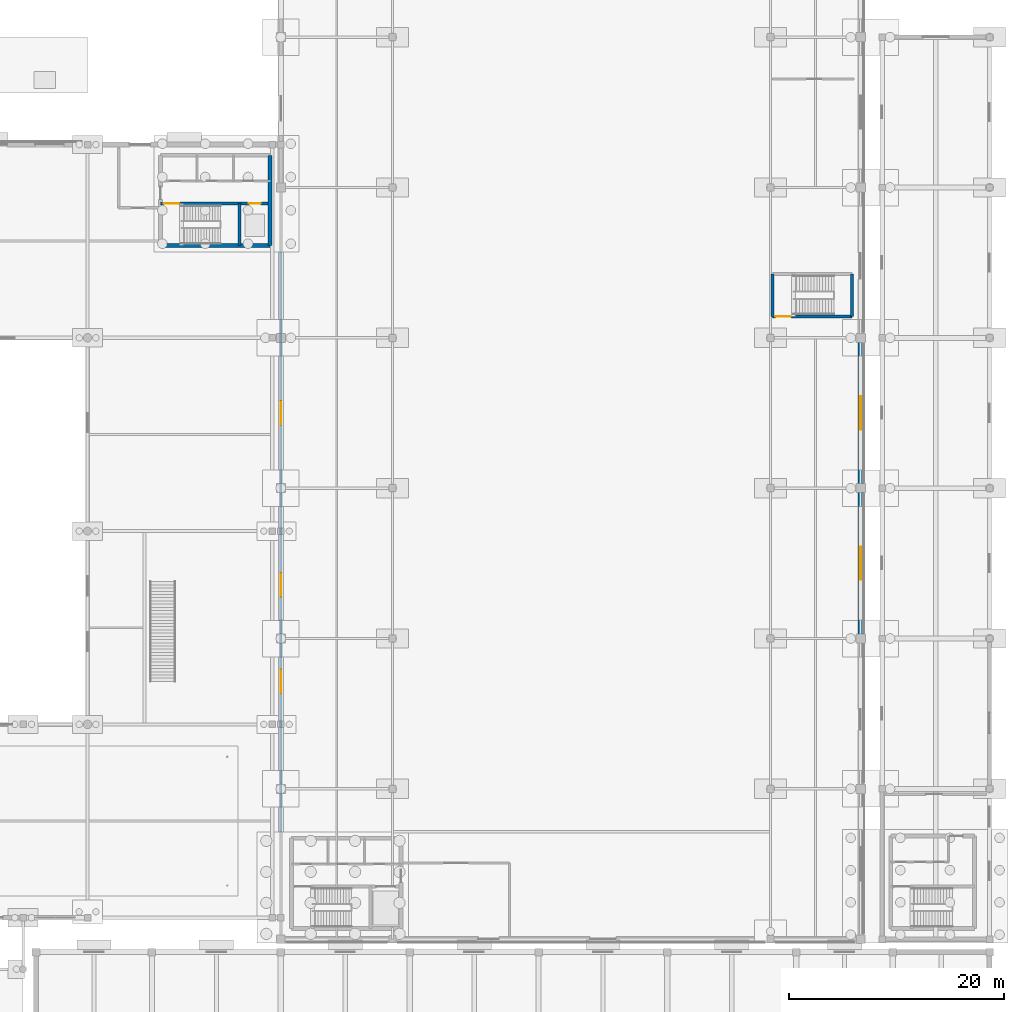
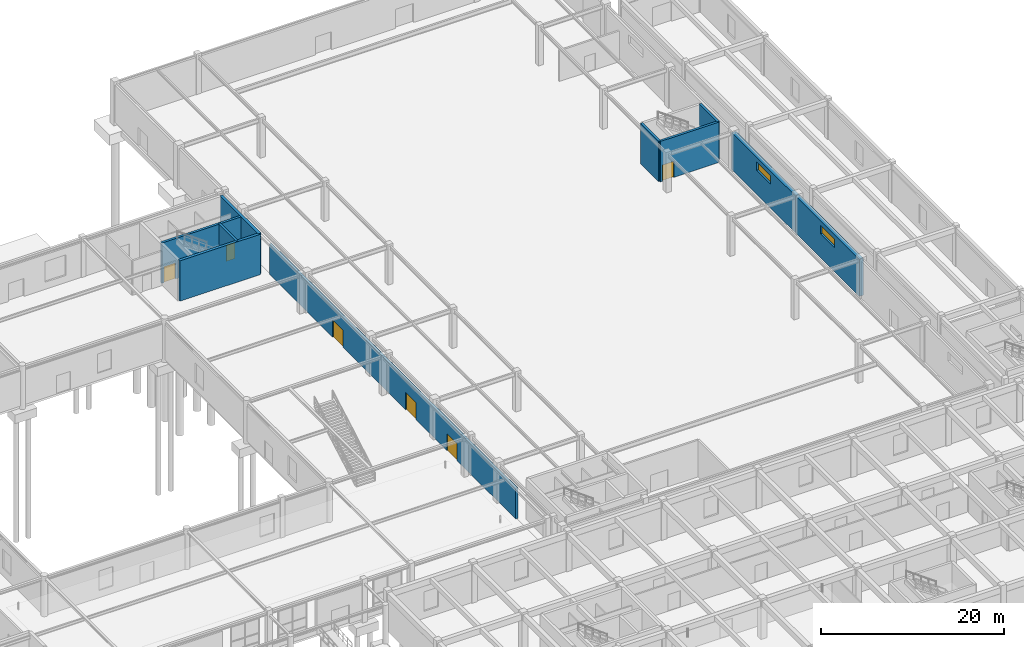
# One storey, part 34 of 53: 10 walls, 6 doors, 2 windows, 8 openings.
"""IFC4 building model written with IfcOpenShell, lengths in metres."""

from ifc_helpers import new_model, si_unit, derived_unit, direction, frame, frame_2d, origin, place, context, subcontext, project, spatial, rectangle, extrude, material, layer, layer_set, type_object, element, fill, save


model = new_model("IFC4")

# Units and contexts
model_context = context("Model", 3, precision=1e-05, world=origin(), true_north=direction((0.0, 1.0)))
body_context = subcontext(model_context, "Body", "Model", "MODEL_VIEW")
ifc_project = project(units=[si_unit("LENGTHUNIT", "METRE"), si_unit("AREAUNIT", "SQUARE_METRE"), si_unit("VOLUMEUNIT", "CUBIC_METRE"), si_unit("PLANEANGLEUNIT", "RADIAN"), si_unit("MASSUNIT", "GRAM", prefix="KILO"), derived_unit("THERMALTRANSMITTANCEUNIT", [(si_unit("POWERUNIT", "WATT"), 1), (si_unit("LENGTHUNIT", "METRE"), -2), (si_unit("THERMODYNAMICTEMPERATUREUNIT", "KELVIN"), -1)])], contexts=[model_context])

# Site, building, storey
site_placement = place(None, origin())
site = spatial("IfcSite", under=ifc_project, at=site_placement, CompositionType="ELEMENT")
building_placement = place(site_placement, origin())
building = spatial("IfcBuilding", under=site, at=building_placement, Name="Almenara Railside Exhibition Hall", CompositionType="ELEMENT")
storey_placement = place(building_placement, origin())
storey = spatial("IfcBuildingStorey", under=building, at=storey_placement, Name="L00", CompositionType="ELEMENT", Elevation=0.0)

# Walls
ifc_material_1 = material(Name="Concrete C35/45", Category="concrete")
ifc_layer_1 = layer(ifc_material_1, 0.35009765625, Name="Concrete C35/45")
ifc_layer_set_1 = layer_set([ifc_layer_1], Name="Concrete C35/45")
wall_type_1 = type_object("IfcWallType", Name="Core Coupled Shear Wall 350mm C35/45", PredefinedType="SHEAR", material=ifc_layer_set_1)
wall_1_placement = place(storey_placement, frame((126.800048828125, 98.60009765625, 0.0), z_axis=(0.0, 0.0, 1.0), x_axis=(1.0, 0.0, 0.0)))
element("IfcWall", 1, at=wall_1_placement, inside=storey, type_object=wall_type_1, Name="Interior wall 0217", PredefinedType="SHEAR", context=body_context, shape_type="SweptSolid", body=[
    extrude(rectangle(XDim=10.199951171875, YDim=0.35009765625, at=frame_2d((5.10009765625, 0.0))), origin(), (0.0, 0.0, 1.0), 5.39990234375),
])
wall_2_placement = place(storey_placement, frame((137.0, 98.60009765625, 0.0), z_axis=(0.0, 0.0, 1.0), x_axis=(0.0, 1.0, 0.0)))
element("IfcWall", 2, at=wall_2_placement, inside=storey, type_object=wall_type_1, Name="Interior wall 0220", PredefinedType="SHEAR", context=body_context, shape_type="SweptSolid", body=[
    extrude(rectangle(XDim=8.39990234375, YDim=0.35009765625, at=frame_2d((4.199951171875, 0.0))), origin(), (0.0, 0.0, 1.0), 5.39990234375),
])

# Wall, opening, window
ifc_material_2 = material(Name="Ochre-white lime-rendered masonry over Concrete C35/45", Category="masonry")
ifc_layer_2 = layer(ifc_material_2, 0.510009765625, Name="Ochre-white lime-rendered masonry over Concrete C35/45")
ifc_layer_set_2 = layer_set([ifc_layer_2], Name="Ochre-white lime-rendered masonry over Concrete C35/45")
wall_type_2 = type_object("IfcWallType", Name="Exterior East Hall Thermal Wall 510mm C35/45", PredefinedType="SOLIDWALL", material=ifc_layer_set_2)
wall_3_placement = place(storey_placement, frame((192.0, 62.0, 0.0), z_axis=(0.0, 0.0, 1.0), x_axis=(0.0, 1.0, 0.0)))
wall_3 = element("IfcWall", 3, at=wall_3_placement, inside=storey, type_object=wall_type_2, Name="Exterior wall 0080", PredefinedType="SOLIDWALL", context=body_context, shape_type="SweptSolid", body=[
    extrude(rectangle(XDim=14.0, YDim=0.510009765625, at=frame_2d((7.0, 0.0))), origin(), (0.0, 0.0, 1.0), 4.949951171875),
])
opening_1_placement = place(wall_3_placement, frame((5.449951171875, 0.0, 3.199951171875)))
opening_1 = element("IfcOpeningElement", 4, at=opening_1_placement, cuts=wall_3, Name="Opening W-15", PredefinedType="OPENING", context=body_context, shape_type="SweptSolid", body=[
    extrude(rectangle(XDim=3.10009765625, YDim=1.14990234375, at=frame_2d((1.550048828125, 0.574951171875))), frame((0.0, 0.264892578125, 0.0), z_axis=(0.0, -1.0, 0.0), x_axis=(1.0, 0.0, 0.0)), (0.0, 0.0, 1.0), 0.530029296875),
])
ifc_material_3 = material(Name="Bronze-anodised aluminium and low-E double glazing", Category="aluminium")
window_type = type_object("IfcWindowType", Name="East Hall Clerestory Window 3100x1150", PartitioningType="TRIPLE_PANEL_HORIZONTAL", PredefinedType="WINDOW", material=ifc_material_3)
window_1_placement = place(opening_1_placement, origin())
window_1 = element("IfcWindow", 5, at=window_1_placement, inside=storey, type_object=window_type, Name="Window 0016", OverallHeight=1.14990234375, OverallWidth=3.10009765625, PartitioningType="TRIPLE_PANEL_HORIZONTAL", PredefinedType="WINDOW", context=body_context, shape_type="SweptSolid", body=[
    extrude(rectangle(XDim=3.10009765625, YDim=1.14990234375, at=frame_2d((1.550048828125, 0.574951171875))), frame((0.0, 0.030029296875, 0.0), z_axis=(0.0, -1.0, 0.0), x_axis=(1.0, 0.0, 0.0)), (0.0, 0.0, 1.0), 0.06005859375),
])
fill(opening_1, window_1)

wall_4_placement = place(storey_placement, frame((192.0, 76.0, 0.0), z_axis=(0.0, 0.0, 1.0), x_axis=(0.0, 1.0, 0.0)))
wall_4 = element("IfcWall", 6, at=wall_4_placement, inside=storey, type_object=wall_type_2, Name="Exterior wall 0083", PredefinedType="SOLIDWALL", context=body_context, shape_type="SweptSolid", body=[
    extrude(rectangle(XDim=14.0, YDim=0.510009765625, at=frame_2d((7.0, 0.0))), origin(), (0.0, 0.0, 1.0), 4.949951171875),
])
opening_2_placement = place(wall_4_placement, frame((5.449951171875, 0.0, 3.199951171875)))
opening_2 = element("IfcOpeningElement", 7, at=opening_2_placement, cuts=wall_4, Name="Opening W-15", PredefinedType="OPENING", context=body_context, shape_type="SweptSolid", body=[
    extrude(rectangle(XDim=3.10009765625, YDim=1.14990234375, at=frame_2d((1.550048828125, 0.574951171875))), frame((0.0, 0.264892578125, 0.0), z_axis=(0.0, -1.0, 0.0), x_axis=(1.0, 0.0, 0.0)), (0.0, 0.0, 1.0), 0.530029296875),
])
window_2_placement = place(opening_2_placement, origin())
window_2 = element("IfcWindow", 8, at=window_2_placement, inside=storey, type_object=window_type, Name="Window 0017", OverallHeight=1.14990234375, OverallWidth=3.10009765625, PartitioningType="TRIPLE_PANEL_HORIZONTAL", PredefinedType="WINDOW", context=body_context, shape_type="SweptSolid", body=[
    extrude(rectangle(XDim=3.10009765625, YDim=1.14990234375, at=frame_2d((1.550048828125, 0.574951171875))), frame((0.0, 0.030029296875, 0.0), z_axis=(0.0, -1.0, 0.0), x_axis=(1.0, 0.0, 0.0)), (0.0, 0.0, 1.0), 0.06005859375),
])
fill(opening_2, window_2)

# Wall, openings, doors
ifc_layer_3 = layer(ifc_material_1, 0.260009765625, Name="Concrete C35/45")
ifc_layer_set_3 = layer_set([ifc_layer_3], Name="Concrete C35/45")
wall_type_3 = type_object("IfcWallType", Name="Hall Fire Division Wall 260mm C35/45", PredefinedType="SOLIDWALL", material=ifc_layer_set_3)
wall_5_placement = place(storey_placement, frame((138.0, 44.0, 0.0), z_axis=(0.0, 0.0, 1.0), x_axis=(0.0, 1.0, 0.0)))
wall_5 = element("IfcWall", 9, at=wall_5_placement, inside=storey, type_object=wall_type_3, Name="Interior wall 0360", PredefinedType="SOLIDWALL", context=body_context, shape_type="SweptSolid", body=[
    extrude(rectangle(XDim=54.0, YDim=0.260009765625, at=frame_2d((27.0, 0.0))), origin(), (0.0, 0.0, 1.0), 4.10009765625),
])
opening_3_placement = place(wall_5_placement, frame((12.89990234375, 0.0, 0.0)))
opening_3 = element("IfcOpeningElement", 10, at=opening_3_placement, cuts=wall_5, Name="Opening FD-22", PredefinedType="OPENING", context=body_context, shape_type="SweptSolid", body=[
    extrude(rectangle(XDim=2.199951171875, YDim=2.300048828125, at=frame_2d((1.10009765625, 1.14990234375))), frame((0.0, 0.139892578125, 0.0), z_axis=(0.0, -1.0, 0.0), x_axis=(1.0, 0.0, 0.0)), (0.0, 0.0, 1.0), 0.280029296875),
])
opening_4_placement = place(wall_5_placement, frame((21.89990234375, 0.0, 0.0)))
opening_4 = element("IfcOpeningElement", 11, at=opening_4_placement, cuts=wall_5, Name="Opening FD-22", PredefinedType="OPENING", context=body_context, shape_type="SweptSolid", body=[
    extrude(rectangle(XDim=2.199951171875, YDim=2.300048828125, at=frame_2d((1.10009765625, 1.14990234375))), frame((0.0, 0.139892578125, 0.0), z_axis=(0.0, -1.0, 0.0), x_axis=(1.0, 0.0, 0.0)), (0.0, 0.0, 1.0), 0.280029296875),
])
opening_5_placement = place(wall_5_placement, frame((37.89990234375, 0.0, 0.0)))
opening_5 = element("IfcOpeningElement", 12, at=opening_5_placement, cuts=wall_5, Name="Opening FD-22", PredefinedType="OPENING", context=body_context, shape_type="SweptSolid", body=[
    extrude(rectangle(XDim=2.199951171875, YDim=2.300048828125, at=frame_2d((1.10009765625, 1.14990234375))), frame((0.0, 0.139892578125, 0.0), z_axis=(0.0, -1.0, 0.0), x_axis=(1.0, 0.0, 0.0)), (0.0, 0.0, 1.0), 0.280029296875),
])
ifc_material_4 = material(Name="Steel-framed fire-rated timber door", Category="steel")
door_type_1 = type_object("IfcDoorType", Name="Hall Escape Stair Double Door 2200x2300 EI60", OperationType="NOTDEFINED", PredefinedType="DOOR", material=ifc_material_4)
door_1_placement = place(opening_3_placement, origin())
door_1 = element("IfcDoor", 13, at=door_1_placement, inside=storey, type_object=door_type_1, Name="Interior door FD-22-213", OperationType="DOUBLE_DOOR_SINGLE_SWING", OverallHeight=2.300048828125, OverallWidth=2.199951171875, PredefinedType="DOOR", context=body_context, shape_type="SweptSolid", body=[
    extrude(rectangle(XDim=2.199951171875, YDim=2.300048828125, at=frame_2d((1.10009765625, 1.14990234375))), frame((0.0, 0.02490234375, 0.0), z_axis=(0.0, -1.0, 0.0), x_axis=(1.0, 0.0, 0.0)), (0.0, 0.0, 1.0), 0.050048828125),
])
fill(opening_3, door_1)
door_2_placement = place(opening_4_placement, origin())
door_2 = element("IfcDoor", 14, at=door_2_placement, inside=storey, type_object=door_type_1, Name="Interior door FD-22-214", OperationType="DOUBLE_DOOR_SINGLE_SWING", OverallHeight=2.300048828125, OverallWidth=2.199951171875, PredefinedType="DOOR", context=body_context, shape_type="SweptSolid", body=[
    extrude(rectangle(XDim=2.199951171875, YDim=2.300048828125, at=frame_2d((1.10009765625, 1.14990234375))), frame((0.0, 0.02490234375, 0.0), z_axis=(0.0, -1.0, 0.0), x_axis=(1.0, 0.0, 0.0)), (0.0, 0.0, 1.0), 0.050048828125),
])
fill(opening_4, door_2)
door_3_placement = place(opening_5_placement, origin())
door_3 = element("IfcDoor", 15, at=door_3_placement, inside=storey, type_object=door_type_1, Name="Interior door FD-22-215", OperationType="DOUBLE_DOOR_SINGLE_SWING", OverallHeight=2.300048828125, OverallWidth=2.199951171875, PredefinedType="DOOR", context=body_context, shape_type="SweptSolid", body=[
    extrude(rectangle(XDim=2.199951171875, YDim=2.300048828125, at=frame_2d((1.10009765625, 1.14990234375))), frame((0.0, 0.02490234375, 0.0), z_axis=(0.0, -1.0, 0.0), x_axis=(1.0, 0.0, 0.0)), (0.0, 0.0, 1.0), 0.050048828125),
])
fill(opening_5, door_3)

ifc_layer_4 = layer(ifc_material_1, 0.300048828125, Name="Concrete C35/45")
ifc_layer_set_4 = layer_set([ifc_layer_4], Name="Concrete C35/45")
wall_type_4 = type_object("IfcWallType", Name="Stair and Lift Shaft Wall 300mm C35/45", PredefinedType="SHEAR", material=ifc_layer_set_4)
wall_6_placement = place(storey_placement, frame((126.800048828125, 102.5, 0.0), z_axis=(0.0, 0.0, 1.0), x_axis=(1.0, 0.0, 0.0)))
wall_6 = element("IfcWall", 16, at=wall_6_placement, inside=storey, type_object=wall_type_4, Name="Interior wall 0221", PredefinedType="SHEAR", context=body_context, shape_type="SweptSolid", body=[
    extrude(rectangle(XDim=10.199951171875, YDim=0.300048828125, at=frame_2d((5.10009765625, 0.0))), origin(), (0.0, 0.0, 1.0), 5.39990234375),
])
opening_6_placement = place(wall_6_placement, frame((0.280029296875, 0.0, 0.0)))
opening_6 = element("IfcOpeningElement", 17, at=opening_6_placement, cuts=wall_6, Name="Opening FD-145", PredefinedType="OPENING", context=body_context, shape_type="SweptSolid", body=[
    extrude(rectangle(XDim=1.449951171875, YDim=2.14990234375, at=frame_2d((0.72509765625, 1.074951171875))), frame((0.0, 0.159912109375, 0.0), z_axis=(0.0, -1.0, 0.0), x_axis=(1.0, 0.0, 0.0)), (0.0, 0.0, 1.0), 0.320068359375),
])
opening_7_placement = place(wall_6_placement, frame((8.22509765625, 0.0, 0.0)))
opening_7 = element("IfcOpeningElement", 18, at=opening_7_placement, cuts=wall_6, Name="Opening LD-11-C8", PredefinedType="OPENING", context=body_context, shape_type="SweptSolid", body=[
    extrude(rectangle(XDim=1.10009765625, YDim=2.14990234375, at=frame_2d((0.550048828125, 1.074951171875))), frame((0.0, 0.159912109375, 0.0), z_axis=(0.0, -1.0, 0.0), x_axis=(1.0, 0.0, 0.0)), (0.0, 0.0, 1.0), 0.320068359375),
])
door_type_2 = type_object("IfcDoorType", Name="Fire Escape Stair Door 1450x2150 EI60", OperationType="NOTDEFINED", PredefinedType="DOOR", material=ifc_material_4)
door_4_placement = place(opening_6_placement, origin())
door_4 = element("IfcDoor", 19, at=door_4_placement, inside=storey, type_object=door_type_2, Name="Interior door FD-145-146", OperationType="DOUBLE_DOOR_SINGLE_SWING", OverallHeight=2.14990234375, OverallWidth=1.449951171875, PredefinedType="DOOR", context=body_context, shape_type="SweptSolid", body=[
    extrude(rectangle(XDim=1.449951171875, YDim=2.14990234375, at=frame_2d((0.72509765625, 1.074951171875))), frame((0.0, 0.02490234375, 0.0), z_axis=(0.0, -1.0, 0.0), x_axis=(1.0, 0.0, 0.0)), (0.0, 0.0, 1.0), 0.050048828125),
])
fill(opening_6, door_4)
ifc_material_5 = material(Name="Brushed bronze-stainless steel sliding landing door", Category="steel")
door_type_3 = type_object("IfcDoorType", Name="Passenger Lift Sliding Landing Door 1100x2150", OperationType="DOUBLE_DOOR_SLIDING", PredefinedType="DOOR", material=ifc_material_5)
door_5_placement = place(opening_7_placement, origin())
door_5 = element("IfcDoor", 20, at=door_5_placement, inside=storey, type_object=door_type_3, Name="Interior door LD-11-C8-147", OperationType="DOUBLE_DOOR_SLIDING", OverallHeight=2.14990234375, OverallWidth=1.10009765625, PredefinedType="DOOR", context=body_context, shape_type="SweptSolid", body=[
    extrude(rectangle(XDim=1.10009765625, YDim=2.14990234375, at=frame_2d((0.550048828125, 1.074951171875))), frame((0.0, 0.02490234375, 0.0), z_axis=(0.0, -1.0, 0.0), x_axis=(1.0, 0.0, 0.0)), (0.0, 0.0, 1.0), 0.050048828125),
])
fill(opening_7, door_5)

# Wall
wall_7_placement = place(storey_placement, frame((134.14990234375, 98.60009765625, 0.0), z_axis=(0.0, 0.0, 1.0), x_axis=(0.0, 1.0, 0.0)))
element("IfcWall", 21, at=wall_7_placement, inside=storey, type_object=wall_type_4, Name="Interior wall 0222", PredefinedType="SHEAR", context=body_context, shape_type="SweptSolid", body=[
    extrude(rectangle(XDim=3.89990234375, YDim=0.300048828125, at=frame_2d((1.949951171875, 0.0))), origin(), (0.0, 0.0, 1.0), 5.39990234375),
])

# Wall, opening, door
wall_8_placement = place(storey_placement, frame((183.800048828125, 92.0, 0.0), z_axis=(0.0, 0.0, 1.0), x_axis=(1.0, 0.0, 0.0)))
wall_8 = element("IfcWall", 22, at=wall_8_placement, inside=storey, type_object=wall_type_4, Name="Interior wall 0344", PredefinedType="SHEAR", context=body_context, shape_type="SweptSolid", body=[
    extrude(rectangle(XDim=7.39990234375, YDim=0.300048828125, at=frame_2d((3.699951171875, 0.0))), origin(), (0.0, 0.0, 1.0), 5.39990234375),
])
opening_8_placement = place(wall_8_placement, frame((0.25, 0.0, 0.0)))
opening_8 = element("IfcOpeningElement", 23, at=opening_8_placement, cuts=wall_8, Name="Opening FD-145", PredefinedType="OPENING", context=body_context, shape_type="SweptSolid", body=[
    extrude(rectangle(XDim=1.449951171875, YDim=2.14990234375, at=frame_2d((0.72509765625, 1.074951171875))), frame((0.0, 0.159912109375, 0.0), z_axis=(0.0, -1.0, 0.0), x_axis=(1.0, 0.0, 0.0)), (0.0, 0.0, 1.0), 0.320068359375),
])
door_6_placement = place(opening_8_placement, origin())
door_6 = element("IfcDoor", 24, at=door_6_placement, inside=storey, type_object=door_type_2, Name="Interior door FD-145-201", OperationType="DOUBLE_DOOR_SINGLE_SWING", OverallHeight=2.14990234375, OverallWidth=1.449951171875, PredefinedType="DOOR", context=body_context, shape_type="SweptSolid", body=[
    extrude(rectangle(XDim=1.449951171875, YDim=2.14990234375, at=frame_2d((0.72509765625, 1.074951171875))), frame((0.0, 0.02490234375, 0.0), z_axis=(0.0, -1.0, 0.0), x_axis=(1.0, 0.0, 0.0)), (0.0, 0.0, 1.0), 0.050048828125),
])
fill(opening_8, door_6)

# Walls
for number, where, z_axis, x_axis, name in (
    (25, (183.800048828125, 95.949951171875, 0.0), (0.0, 0.0, 1.0), (0.0, -1.0, 0.0), "Interior wall 0346"),
    (26, (191.199951171875, 92.0, 0.0), (0.0, 0.0, 1.0), (0.0, 1.0, 0.0), "Interior wall 0347"),
):
    element("IfcWall", number, at=place(storey_placement, frame(where, z_axis=z_axis, x_axis=x_axis)), inside=storey, type_object=wall_type_4, Name=name, PredefinedType="SHEAR", context=body_context, shape_type="SweptSolid", body=[
        extrude(rectangle(XDim=3.949951171875, YDim=0.300048828125, at=frame_2d((1.97509765625, 0.0))), origin(), (0.0, 0.0, 1.0), 5.39990234375),
    ])

save(model, "model.ifc")
